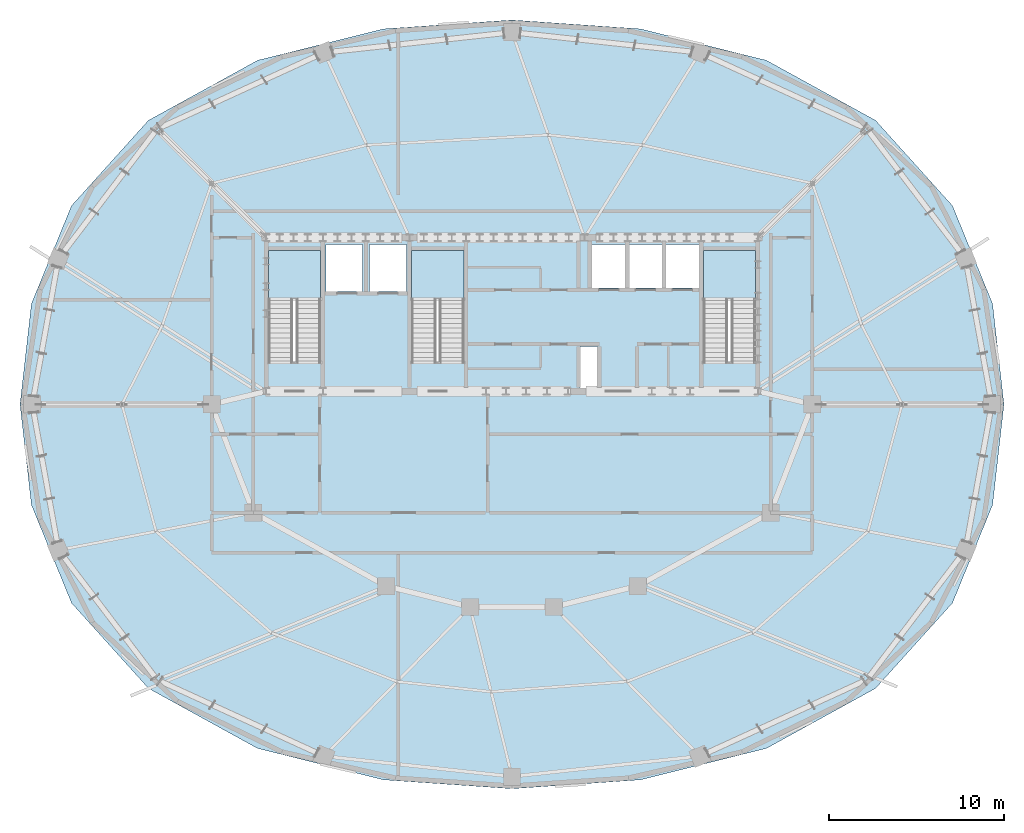
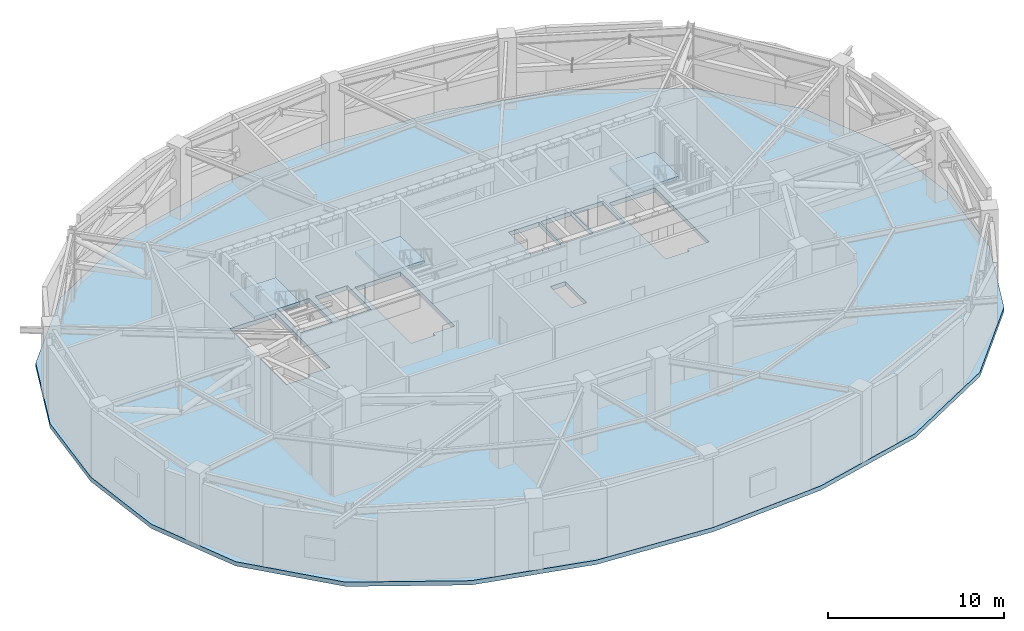
# One storey, part 9 of 20: 4 slabs, 3 elements without a shape of their own.
"""IFC4 building model written with IfcOpenShell, lengths in metres."""

from ifc_helpers import new_model, si_unit, direction, frame, origin, place, context, subcontext, project, spatial, polyline, outline, extrude, material, layer, layer_set, type_object, element, aggregate, save


model = new_model("IFC4")

# Units and contexts
model_context = context("Model", 3, precision=1e-05, world=origin(), true_north=direction((0.0, 1.0)))
body_context = subcontext(model_context, "Body", "Model", "MODEL_VIEW")
ifc_project = project(units=[si_unit("LENGTHUNIT", "METRE"), si_unit("AREAUNIT", "SQUARE_METRE"), si_unit("VOLUMEUNIT", "CUBIC_METRE"), si_unit("PLANEANGLEUNIT", "RADIAN"), si_unit("MASSUNIT", "GRAM", prefix="KILO")], contexts=[model_context])

# Site, building, storey
site_placement = place(None, origin())
site = spatial("IfcSite", under=ifc_project, at=site_placement, CompositionType="ELEMENT")
building_placement = place(site_placement, origin())
building = spatial("IfcBuilding", under=site, at=building_placement, Name="Haldorwick Loom Tower", CompositionType="ELEMENT")
storey_placement = place(building_placement, frame((0.0, 0.0, 222.10009765625)))
storey = spatial("IfcBuildingStorey", under=building, at=storey_placement, Name="L60", CompositionType="ELEMENT", Elevation=222.10009765625)

# Slab
ifc_material = material(Name="Concrete C40 (40 MPa)", Category="concrete")
ifc_layer_1 = layer(ifc_material, 0.300048828125, Name="Concrete C40 (40 MPa)", Category="concrete")
ifc_layer_set_1 = layer_set([ifc_layer_1], Name="Concrete C40 (40 MPa)")
slab_type_1 = type_object("IfcSlabType", Name="STR-SLB-CONC300", PredefinedType="FLOOR", material=ifc_layer_set_1)
slab_1_placement = place(storey_placement, frame((0.0, 0.0, -0.300048828125)))
element("IfcSlab", 1, at=slab_1_placement, inside=storey, type_object=slab_type_1, Name="L60 Structural Floor Slab", PredefinedType="FLOOR", context=body_context, shape_type="SweptSolid", body=[
    extrude(outline(polyline([(56.812744140625, 9.739990234375), (61.2158203125, 14.626220703125), (63.5126953125, 20.240478515625), (64.16650390625, 26.0), (63.5126953125, 31.759521484375), (61.2158203125, 37.373779296875), (56.812744140625, 42.260009765625), (50.558349609375, 45.699951171875), (43.3720703125, 47.494384765625), (36.0, 48.0048828125), (28.6279296875, 47.494384765625), (21.441650390625, 45.699951171875), (15.187255859375, 42.260009765625), (10.7841796875, 37.373779296875), (8.4873046875, 31.759521484375), (7.83349609375, 26.0), (8.4873046875, 20.240478515625), (10.7841796875, 14.626220703125), (15.187255859375, 9.739990234375), (21.441650390625, 6.300048828125), (28.6279296875, 4.505615234375), (36.0, 3.9951171875), (43.3720703125, 4.505615234375), (50.558349609375, 6.300048828125), (56.812744140625, 9.739990234375)]), holes=[polyline([(40.89990234375, 26.89990234375), (39.89990234375, 26.89990234375), (39.89990234375, 29.300048828125), (40.89990234375, 29.300048828125), (40.89990234375, 26.89990234375)]), polyline([(23.6201171875, 28.39990234375), (22.050048828125, 28.39990234375), (22.050048828125, 34.800048828125), (25.050048828125, 34.800048828125), (25.050048828125, 28.639892578125), (23.6201171875, 28.639892578125), (23.6201171875, 28.39990234375)]), polyline([(31.820068359375, 28.39990234375), (30.25, 28.39990234375), (30.25, 34.800048828125), (33.25, 34.800048828125), (33.25, 28.639892578125), (31.820068359375, 28.639892578125), (31.820068359375, 28.39990234375)]), polyline([(48.52001953125, 28.39990234375), (46.949951171875, 28.39990234375), (46.949951171875, 34.800048828125), (49.949951171875, 34.800048828125), (49.949951171875, 28.639892578125), (48.52001953125, 28.639892578125), (48.52001953125, 28.39990234375)]), polyline([(27.449951171875, 32.449951171875), (25.35009765625, 32.449951171875), (25.35009765625, 35.14990234375), (27.449951171875, 35.14990234375), (27.449951171875, 32.449951171875)]), polyline([(29.949951171875, 32.449951171875), (27.85009765625, 32.449951171875), (27.85009765625, 35.14990234375), (29.949951171875, 35.14990234375), (29.949951171875, 32.449951171875)]), polyline([(42.550048828125, 32.64990234375), (40.550048828125, 32.64990234375), (40.550048828125, 35.14990234375), (42.550048828125, 35.14990234375), (42.550048828125, 32.64990234375)]), polyline([(42.64990234375, 32.64990234375), (42.64990234375, 35.14990234375), (44.64990234375, 35.14990234375), (44.64990234375, 32.64990234375), (42.64990234375, 32.64990234375)]), polyline([(44.75, 32.64990234375), (44.75, 35.14990234375), (46.75, 35.14990234375), (46.75, 32.64990234375), (44.75, 32.64990234375)])]), origin(), (0.0, 0.0, 1.0), 0.300048828125),
])

# Stair, slab
stair_type = type_object("IfcStairType", Name="STR-STR-CORE", PredefinedType="HALF_TURN_STAIR", material=ifc_material)
stair_1_placement = place(storey_placement, origin())
stair_1 = element("IfcStair", 2, at=stair_1_placement, inside=storey, type_object=stair_type, Name="L60 Exit Stair ST-01", PredefinedType="HALF_TURN_STAIR")
ifc_layer_2 = layer(ifc_material, 0.199951171875, Name="Concrete C40 (40 MPa)", Category="concrete")
ifc_layer_set_2 = layer_set([ifc_layer_2], Name="Concrete C40 (40 MPa)")
slab_type_2 = type_object("IfcSlabType", Name="STR-SLB-LAND200", PredefinedType="LANDING", material=ifc_layer_set_2)
slab_2_placement = place(storey_placement, frame((0.0, 0.0, 2.2998046875)))
slab_2 = element("IfcSlab", 3, at=slab_2_placement, type_object=slab_type_2, Name="ST-01 landing 1", PredefinedType="LANDING", context=body_context, shape_type="SweptSolid", body=[
    extrude(outline(polyline([(25.050048828125, 32.0400390625), (25.050048828125, 34.800048828125), (22.050048828125, 34.800048828125), (22.050048828125, 32.0400390625), (25.050048828125, 32.0400390625)])), origin(), (0.0, 0.0, 1.0), 0.2001953125),
])
aggregate(stair_1, [slab_2])

stair_2_placement = place(storey_placement, origin())
stair_2 = element("IfcStair", 4, at=stair_2_placement, inside=storey, type_object=stair_type, Name="L60 Exit Stair ST-02", PredefinedType="HALF_TURN_STAIR")
slab_3_placement = place(storey_placement, frame((0.0, 0.0, 2.2998046875)))
slab_3 = element("IfcSlab", 5, at=slab_3_placement, type_object=slab_type_2, Name="ST-02 landing 1", PredefinedType="LANDING", context=body_context, shape_type="SweptSolid", body=[
    extrude(outline(polyline([(49.949951171875, 32.0400390625), (49.949951171875, 34.800048828125), (46.949951171875, 34.800048828125), (46.949951171875, 32.0400390625), (49.949951171875, 32.0400390625)])), origin(), (0.0, 0.0, 1.0), 0.2001953125),
])
aggregate(stair_2, [slab_3])

stair_3_placement = place(storey_placement, origin())
stair_3 = element("IfcStair", 6, at=stair_3_placement, inside=storey, type_object=stair_type, Name="L60 Exit Stair ST-03", PredefinedType="HALF_TURN_STAIR")
slab_4_placement = place(storey_placement, frame((0.0, 0.0, 2.2998046875)))
slab_4 = element("IfcSlab", 7, at=slab_4_placement, type_object=slab_type_2, Name="ST-03 landing 1", PredefinedType="LANDING", context=body_context, shape_type="SweptSolid", body=[
    extrude(outline(polyline([(33.25, 32.0400390625), (33.25, 34.800048828125), (30.25, 34.800048828125), (30.25, 32.0400390625), (33.25, 32.0400390625)])), origin(), (0.0, 0.0, 1.0), 0.2001953125),
])
aggregate(stair_3, [slab_4])

save(model, "model.ifc")
